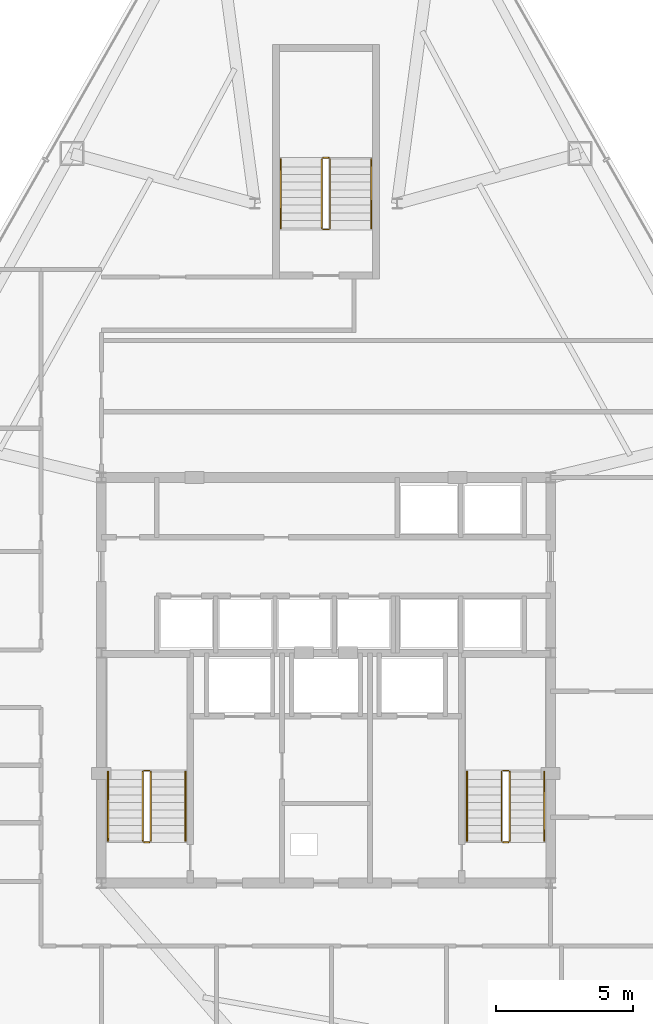
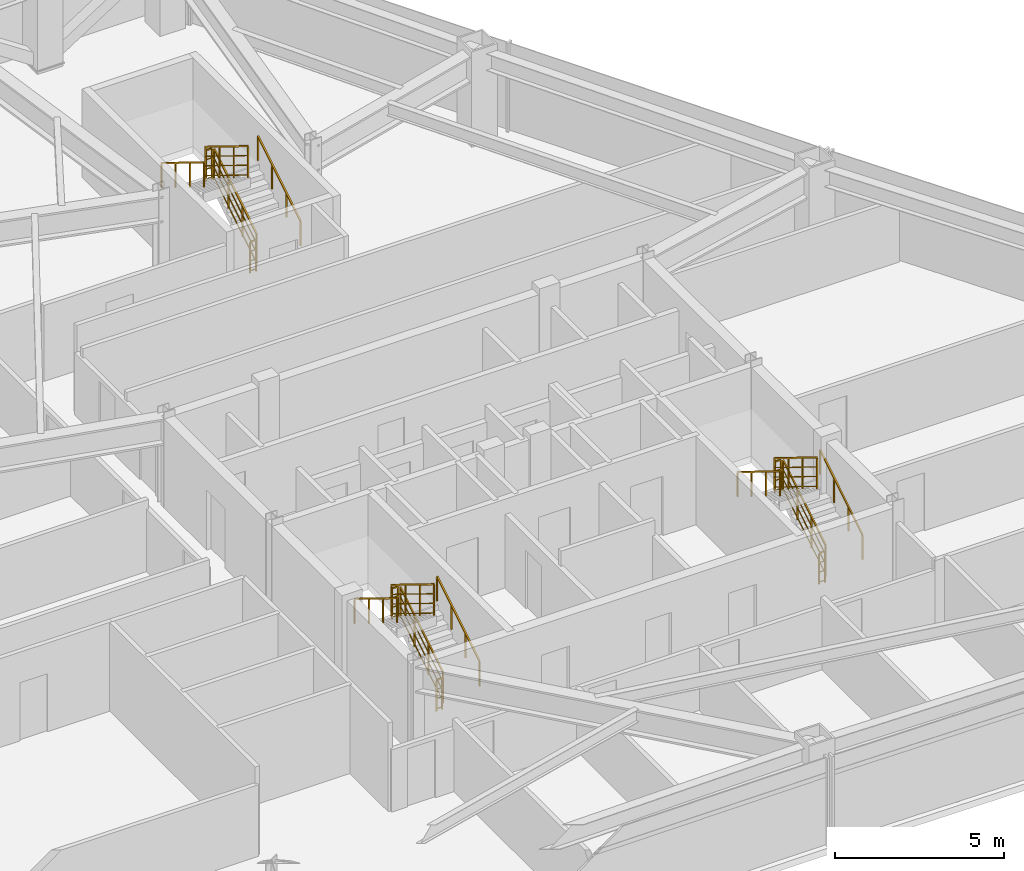
# One storey, part 12 of 12: 18 railings.
"""IFC4 building model written with IfcOpenShell, lengths in metres."""

import ifcopenshell
import ifcopenshell.guid

model = None  # the IFC model being written
_history = None  # IfcOwnerHistory: only IFC2X3 demands one
_inside = {}  # id of a spatial element -> (the spatial element, [elements in it])
_under = {}  # id of a project, library or spatial element -> (it, [spatial elements below it])
_declared = {}  # id of a project -> (the project, [libraries it declares])
_typed = {}  # id of a type object -> (the type object, [elements of that type])
_made_of = {}  # id of a material, layer set ... -> (it, [elements and type objects made of it])


def new_model(schema):
    """Start an empty IFC model of exactly this schema.

    Asked for "IFC4X3", IfcOpenShell would pick the latest addendum, in which some entities
    have other attributes; the version numbers below select the first issue.
    IFC2X3 requires an IfcOwnerHistory on every rooted entity: one is made here for all.
    """
    global model, _history
    if schema == "IFC4X3":
        model = ifcopenshell.file(schema_version=(4, 3, 0, 0))
    else:
        model = ifcopenshell.file(schema=schema)
    _inside.clear()
    _under.clear()
    _declared.clear()
    _typed.clear()
    _made_of.clear()
    _history = None
    if model.schema == "IFC2X3":
        org = make("IfcOrganization", Name="unknown")
        user = make(
            "IfcPersonAndOrganization",
            ThePerson=make("IfcPerson", FamilyName="unknown"),
            TheOrganization=org,
        )
        app = make(
            "IfcApplication",
            ApplicationDeveloper=org,
            Version="unknown",
            ApplicationFullName="unknown",
            ApplicationIdentifier="unknown",
        )
        _history = make(
            "IfcOwnerHistory",
            OwningUser=user,
            OwningApplication=app,
            ChangeAction="ADDED",
            CreationDate=0,
        )
    return model


def make(cls, **values):
    """One entity of the class cls with the attributes given. An attribute that is None is left unset."""
    return model.create_entity(
        cls, **{name: value for name, value in values.items() if value is not None}
    )


def rooted(cls, **values):
    """An entity with a GlobalId (a new one), such as an element, a storey or a relation."""
    return make(cls, GlobalId=ifcopenshell.guid.new(), OwnerHistory=_history, **values)


def si_unit(unit_type, name, prefix=None):
    """IfcSIUnit, for example si_unit("LENGTHUNIT", "METRE", prefix="MILLI")."""
    return make("IfcSIUnit", UnitType=unit_type, Prefix=prefix, Name=name)


def assignment(units):
    """IfcUnitAssignment: the units of a project."""
    return None if units is None else make("IfcUnitAssignment", Units=units)


def point(xyz):
    """IfcCartesianPoint."""
    return None if xyz is None else make("IfcCartesianPoint", Coordinates=xyz)


def direction(xyz):
    """IfcDirection."""
    return None if xyz is None else make("IfcDirection", DirectionRatios=xyz)


def frame(location, z_axis=None, x_axis=None):
    """IfcAxis2Placement3D, a coordinate frame: its origin and axes. An axis left out is left unset."""
    return make(
        "IfcAxis2Placement3D",
        Location=point(location),
        Axis=direction(z_axis),
        RefDirection=direction(x_axis),
    )


def frame_2d(location, x_axis=None):
    """IfcAxis2Placement2D, a coordinate frame in the plane: its origin and x axis."""
    return make(
        "IfcAxis2Placement2D", Location=point(location), RefDirection=direction(x_axis)
    )


def origin():
    """The frame at (0, 0, 0) with its axes left unset."""
    return frame((0.0, 0.0, 0.0))


def origin_2d():
    """The frame at (0, 0) in the plane with its x axis left unset."""
    return frame_2d((0.0, 0.0))


def place(relative_to, where):
    """IfcLocalPlacement: puts the frame where relative to a parent placement (None: the world)."""
    return make(
        "IfcLocalPlacement", PlacementRelTo=relative_to, RelativePlacement=where
    )


def context(
    kind, dimensions, precision=None, world=None, true_north=None, identifier=None
):
    """IfcGeometricRepresentationContext, for example the 3D "Model" context."""
    return make(
        "IfcGeometricRepresentationContext",
        ContextIdentifier=identifier,
        ContextType=kind,
        CoordinateSpaceDimension=dimensions,
        Precision=precision,
        WorldCoordinateSystem=world,
        TrueNorth=true_north,
    )


def subcontext(parent, identifier, kind, view, scale=None):
    """IfcGeometricRepresentationSubContext, for example "Body" below "Model"."""
    return make(
        "IfcGeometricRepresentationSubContext",
        ContextIdentifier=identifier,
        ContextType=kind,
        ParentContext=parent,
        TargetScale=scale,
        TargetView=view,
    )


def project(units=None, contexts=None):
    """IfcProject with its units and contexts."""
    return rooted(
        "IfcProject",
        Name="project",
        RepresentationContexts=contexts,
        UnitsInContext=assignment(units),
    )


def spatial(cls, under=None, at=None, **own):
    """A site, building, storey or space (cls), placed at a placement, below another one or the project."""
    s = rooted(cls, ObjectPlacement=at, **own)
    if under is not None:
        _under.setdefault(under.id(), (under, []))[1].append(s)
    return s


def profile(cls, at=None, kind="AREA", **sizes):
    """A parametric profile (cls). Its sizes go by their IFC names, for example OverallWidth=200.0."""
    return make(cls, ProfileType=kind, Position=at, **sizes)


def rectangle(**sizes):
    """IfcRectangleProfileDef."""
    return profile("IfcRectangleProfileDef", **sizes)


def extrude(swept, where, along, depth):
    """IfcExtrudedAreaSolid: the profile swept, set in the frame where, extruded along a direction by depth."""
    return make(
        "IfcExtrudedAreaSolid",
        SweptArea=swept,
        Position=where,
        ExtrudedDirection=direction(along),
        Depth=depth,
    )


def shape(context_of_items, identifier, shape_type, items):
    """IfcShapeRepresentation: the items that make up one representation, for example the "Body"."""
    return make(
        "IfcShapeRepresentation",
        ContextOfItems=context_of_items,
        RepresentationIdentifier=identifier,
        RepresentationType=shape_type,
        Items=items,
    )


def material(Name=None, Category=None):
    """IfcMaterial."""
    return make("IfcMaterial", Name=Name, Category=Category)


def made_of(thing, what):
    """Note that an element or type object is made of a material, layer set ...; save() writes the relation."""
    if what is not None:
        _made_of.setdefault(what.id(), (what, []))[1].append(thing)
    return thing


def type_object(cls, material=None, **own):
    """A type object (cls), such as IfcWallType, which elements share."""
    return made_of(rooted(cls, **own), material)


def element(
    cls,
    number,
    at=None,
    inside=None,
    cuts=None,
    type_object=None,
    material=None,
    context=None,
    identifier="Body",
    shape_type=None,
    held_by="IfcProductDefinitionShape",
    body=None,
    shapes=None,
    **own,
):
    """One element of the class cls, such as IfcWall. Its Tag is "e" and its number.

    at: its placement. inside: the storey or other place that contains it. cuts: it is an
    opening in that element (IfcRelVoidsElement). A single representation is given by context,
    identifier, shape_type and body (its items); several are given by shapes. held_by: the class
    of the entity that holds the representations. save() writes the other relations.
    """
    e = rooted(cls, Tag="e%d" % number, ObjectPlacement=at, **own)
    if body is not None:
        shapes = [shape(context, identifier, shape_type, body)]
    if shapes is not None:
        e.Representation = make(held_by, Representations=shapes)
    if inside is not None:
        _inside.setdefault(inside.id(), (inside, []))[1].append(e)
    if cuts is not None:
        rooted(
            "IfcRelVoidsElement", RelatingBuildingElement=cuts, RelatedOpeningElement=e
        )
    if type_object is not None:
        _typed.setdefault(type_object.id(), (type_object, []))[1].append(e)
    return made_of(e, material)


def aggregate(whole, parts):
    """IfcRelAggregates: a whole, such as a stair, and the parts it consists of."""
    return rooted("IfcRelAggregates", RelatingObject=whole, RelatedObjects=parts)


def save(model, path):
    """Write the relations noted so far, then the file.

    IfcRelAggregates (storeys below a building ...), IfcRelContainedInSpatialStructure (elements
    in a storey), IfcRelDefinesByType, IfcRelAssociatesMaterial and IfcRelDeclares: one each for
    every whole, place, type object, material and project.
    """
    for whole, parts in _under.values():
        aggregate(whole, parts)
    for where, things in _inside.values():
        rooted(
            "IfcRelContainedInSpatialStructure",
            RelatedElements=things,
            RelatingStructure=where,
        )
    for kind, things in _typed.values():
        rooted("IfcRelDefinesByType", RelatedObjects=things, RelatingType=kind)
    for what, things in _made_of.values():
        rooted("IfcRelAssociatesMaterial", RelatedObjects=things, RelatingMaterial=what)
    for by, libraries in _declared.values():
        rooted("IfcRelDeclares", RelatingContext=by, RelatedDefinitions=libraries)
    model.write(path)


model = new_model("IFC4")

# Units and contexts
model_context = context("Model", 3, precision=1e-05, world=origin(), true_north=direction((0.0, 1.0)))
body_context = subcontext(model_context, "Body", "Model", "MODEL_VIEW")
ifc_project = project(units=[si_unit("LENGTHUNIT", "METRE"), si_unit("AREAUNIT", "SQUARE_METRE"), si_unit("VOLUMEUNIT", "CUBIC_METRE"), si_unit("PLANEANGLEUNIT", "RADIAN"), si_unit("MASSUNIT", "GRAM", prefix="KILO")], contexts=[model_context])

# Site, building, storey
site_placement = place(None, origin())
site = spatial("IfcSite", under=ifc_project, at=site_placement, CompositionType="ELEMENT")
building_placement = place(site_placement, origin())
building = spatial("IfcBuilding", under=site, at=building_placement, Name="Varakhsha Concourse Tower", CompositionType="ELEMENT")
storey_placement = place(building_placement, frame((0.0, 0.0, 129.800048828125)))
storey = spatial("IfcBuildingStorey", under=building, at=storey_placement, Name="L37", CompositionType="ELEMENT", Elevation=129.800048828125)

# Railings
ifc_material = material(Name="Brushed Austenitic Stainless Steel AISI 316", Category="steel")
railing_type_1 = type_object("IfcRailingType", Name="RL-STAIR-GUARD-1100", PredefinedType="GUARDRAIL", material=ifc_material)
railing_1_placement = place(storey_placement, frame((33.610107421875, 17.93994140625, 0.17236328125)))
element("IfcRailing", 1, at=railing_1_placement, inside=storey, type_object=railing_type_1, Name="L37 ST1 stair guard 1", PredefinedType="GUARDRAIL", context=body_context, shape_type="SweptSolid", body=[
    extrude(rectangle(XDim=0.048095703125, YDim=0.048095703125, at=origin_2d()), frame((0.0, 0.0, 1.1259765625), z_axis=(0.0, 0.851400495292, 0.524516154772), x_axis=(-1.0, 0.0, 0.0)), (0.0, 0.0, 1.0), 2.9599609375),
    extrude(rectangle(XDim=0.028076171875, YDim=0.028076171875, at=origin_2d()), frame((0.0, 0.0, 0.080078125), z_axis=(0.0, 0.851400495292, 0.524516154772), x_axis=(-1.0, 0.0, 0.0)), (0.0, 0.0, 1.0), 2.9599609375),
    extrude(rectangle(XDim=0.028076171875, YDim=0.028076171875, at=origin_2d()), frame((0.0, 0.0, 0.43701171875), z_axis=(0.0, 0.851400495292, 0.524516154772), x_axis=(-1.0, 0.0, 0.0)), (0.0, 0.0, 1.0), 2.9599609375),
    extrude(rectangle(XDim=0.028076171875, YDim=0.028076171875, at=origin_2d()), frame((0.0, 0.0, 0.781982421875), z_axis=(0.0, 0.851400495292, 0.524516154772), x_axis=(-1.0, 0.0, 0.0)), (0.0, 0.0, 1.0), 2.9599609375),
    extrude(rectangle(XDim=0.0419921875, YDim=0.0419921875, at=origin_2d()), origin(), (0.0, 0.0, 1.0), 1.101806640625),
    extrude(rectangle(XDim=0.0419921875, YDim=0.0419921875, at=origin_2d()), frame((0.0, 0.840087890625, 0.517578125)), (0.0, 0.0, 1.0), 1.101806640625),
    extrude(rectangle(XDim=0.0419921875, YDim=0.0419921875, at=origin_2d()), frame((0.0, 1.679931640625, 1.034912109375)), (0.0, 0.0, 1.0), 1.101806640625),
    extrude(rectangle(XDim=0.0419921875, YDim=0.0419921875, at=origin_2d()), frame((0.0, 2.52001953125, 1.552490234375)), (0.0, 0.0, 1.0), 1.101806640625),
])
railing_2_placement = place(storey_placement, frame((33.56005859375, 20.510009765625, 1.724853515625)))
element("IfcRailing", 2, at=railing_2_placement, inside=storey, type_object=railing_type_1, Name="L37 ST1 stair guard 2", PredefinedType="GUARDRAIL", context=body_context, shape_type="SweptSolid", body=[
    extrude(rectangle(XDim=0.048095703125, YDim=0.048095703125, at=origin_2d()), frame((0.0, 0.0, 1.1259765625), z_axis=(-1.0, 0.0, 0.0), x_axis=(0.0, -1.0, 0.0)), (0.0, 0.0, 1.0), 0.199951171875),
    extrude(rectangle(XDim=0.028076171875, YDim=0.028076171875, at=origin_2d()), frame((0.0, 0.0, 0.080078125), z_axis=(-1.0, 0.0, 0.0), x_axis=(0.0, -1.0, 0.0)), (0.0, 0.0, 1.0), 0.199951171875),
    extrude(rectangle(XDim=0.028076171875, YDim=0.028076171875, at=origin_2d()), frame((0.0, 0.0, 0.43701171875), z_axis=(-1.0, 0.0, 0.0), x_axis=(0.0, -1.0, 0.0)), (0.0, 0.0, 1.0), 0.199951171875),
    extrude(rectangle(XDim=0.028076171875, YDim=0.028076171875, at=origin_2d()), frame((0.0, 0.0, 0.781982421875), z_axis=(-1.0, 0.0, 0.0), x_axis=(0.0, -1.0, 0.0)), (0.0, 0.0, 1.0), 0.199951171875),
    extrude(rectangle(XDim=0.0419921875, YDim=0.0419921875, at=origin_2d()), origin(), (0.0, 0.0, 1.0), 1.101806640625),
    extrude(rectangle(XDim=0.0419921875, YDim=0.0419921875, at=origin_2d()), frame((-0.199951171875, 0.0, 0.0)), (0.0, 0.0, 1.0), 1.101806640625),
])
railing_3_placement = place(storey_placement, frame((33.31005859375, 20.4599609375, 1.8974609375)))
element("IfcRailing", 3, at=railing_3_placement, inside=storey, type_object=railing_type_1, Name="L37 ST1 stair guard 3", PredefinedType="GUARDRAIL", context=body_context, shape_type="SweptSolid", body=[
    extrude(rectangle(XDim=0.048095703125, YDim=0.048095703125, at=origin_2d()), frame((0.0, 0.0, 1.1259765625), z_axis=(0.0, -0.851400495292, 0.524516154772), x_axis=(1.0, 0.0, 0.0)), (0.0, 0.0, 1.0), 2.9599609375),
    extrude(rectangle(XDim=0.028076171875, YDim=0.028076171875, at=origin_2d()), frame((0.0, 0.0, 0.080078125), z_axis=(0.0, -0.851400495292, 0.524516154772), x_axis=(1.0, 0.0, 0.0)), (0.0, 0.0, 1.0), 2.9599609375),
    extrude(rectangle(XDim=0.028076171875, YDim=0.028076171875, at=origin_2d()), frame((0.0, 0.0, 0.43701171875), z_axis=(0.0, -0.851400495292, 0.524516154772), x_axis=(1.0, 0.0, 0.0)), (0.0, 0.0, 1.0), 2.9599609375),
    extrude(rectangle(XDim=0.028076171875, YDim=0.028076171875, at=origin_2d()), frame((0.0, 0.0, 0.781982421875), z_axis=(0.0, -0.851400495292, 0.524516154772), x_axis=(1.0, 0.0, 0.0)), (0.0, 0.0, 1.0), 2.9599609375),
    extrude(rectangle(XDim=0.0419921875, YDim=0.0419921875, at=origin_2d()), origin(), (0.0, 0.0, 1.0), 1.101806640625),
    extrude(rectangle(XDim=0.0419921875, YDim=0.0419921875, at=origin_2d()), frame((0.0, -0.840087890625, 0.517578125)), (0.0, 0.0, 1.0), 1.101806640625),
    extrude(rectangle(XDim=0.0419921875, YDim=0.0419921875, at=origin_2d()), frame((0.0, -1.679931640625, 1.034912109375)), (0.0, 0.0, 1.0), 1.101806640625),
    extrude(rectangle(XDim=0.0419921875, YDim=0.0419921875, at=origin_2d()), frame((0.0, -2.52001953125, 1.552490234375)), (0.0, 0.0, 1.0), 1.101806640625),
])
railing_4_placement = place(storey_placement, frame((33.56005859375, 17.889892578125, 0.0)))
element("IfcRailing", 4, at=railing_4_placement, inside=storey, type_object=railing_type_1, Name="L37 ST1 stair guard 4", PredefinedType="GUARDRAIL", context=body_context, shape_type="SweptSolid", body=[
    extrude(rectangle(XDim=0.048095703125, YDim=0.048095703125, at=origin_2d()), frame((0.0, 0.0, 1.1259765625), z_axis=(-1.0, 0.0, 0.0), x_axis=(0.0, -1.0, 0.0)), (0.0, 0.0, 1.0), 0.199951171875),
    extrude(rectangle(XDim=0.028076171875, YDim=0.028076171875, at=origin_2d()), frame((0.0, 0.0, 0.080078125), z_axis=(-1.0, 0.0, 0.0), x_axis=(0.0, -1.0, 0.0)), (0.0, 0.0, 1.0), 0.199951171875),
    extrude(rectangle(XDim=0.028076171875, YDim=0.028076171875, at=origin_2d()), frame((0.0, 0.0, 0.43701171875), z_axis=(-1.0, 0.0, 0.0), x_axis=(0.0, -1.0, 0.0)), (0.0, 0.0, 1.0), 0.199951171875),
    extrude(rectangle(XDim=0.028076171875, YDim=0.028076171875, at=origin_2d()), frame((0.0, 0.0, 0.781982421875), z_axis=(-1.0, 0.0, 0.0), x_axis=(0.0, -1.0, 0.0)), (0.0, 0.0, 1.0), 0.199951171875),
    extrude(rectangle(XDim=0.0419921875, YDim=0.0419921875, at=origin_2d()), origin(), (0.0, 0.0, 1.0), 1.101806640625),
    extrude(rectangle(XDim=0.0419921875, YDim=0.0419921875, at=origin_2d()), frame((-0.199951171875, 0.0, 0.0)), (0.0, 0.0, 1.0), 1.101806640625),
])
railing_5_placement = place(storey_placement, frame((46.7099609375, 17.93994140625, 0.17236328125)))
element("IfcRailing", 5, at=railing_5_placement, inside=storey, type_object=railing_type_1, Name="L37 ST2 stair guard 1", PredefinedType="GUARDRAIL", context=body_context, shape_type="SweptSolid", body=[
    extrude(rectangle(XDim=0.048095703125, YDim=0.048095703125, at=origin_2d()), frame((0.0, 0.0, 1.1259765625), z_axis=(0.0, 0.851400495292, 0.524516154772), x_axis=(-1.0, 0.0, 0.0)), (0.0, 0.0, 1.0), 2.9599609375),
    extrude(rectangle(XDim=0.028076171875, YDim=0.028076171875, at=origin_2d()), frame((0.0, 0.0, 0.080078125), z_axis=(0.0, 0.851400495292, 0.524516154772), x_axis=(-1.0, 0.0, 0.0)), (0.0, 0.0, 1.0), 2.9599609375),
    extrude(rectangle(XDim=0.028076171875, YDim=0.028076171875, at=origin_2d()), frame((0.0, 0.0, 0.43701171875), z_axis=(0.0, 0.851400495292, 0.524516154772), x_axis=(-1.0, 0.0, 0.0)), (0.0, 0.0, 1.0), 2.9599609375),
    extrude(rectangle(XDim=0.028076171875, YDim=0.028076171875, at=origin_2d()), frame((0.0, 0.0, 0.781982421875), z_axis=(0.0, 0.851400495292, 0.524516154772), x_axis=(-1.0, 0.0, 0.0)), (0.0, 0.0, 1.0), 2.9599609375),
    extrude(rectangle(XDim=0.0419921875, YDim=0.0419921875, at=origin_2d()), origin(), (0.0, 0.0, 1.0), 1.101806640625),
    extrude(rectangle(XDim=0.0419921875, YDim=0.0419921875, at=origin_2d()), frame((0.0, 0.840087890625, 0.517578125)), (0.0, 0.0, 1.0), 1.101806640625),
    extrude(rectangle(XDim=0.0419921875, YDim=0.0419921875, at=origin_2d()), frame((0.0, 1.679931640625, 1.034912109375)), (0.0, 0.0, 1.0), 1.101806640625),
    extrude(rectangle(XDim=0.0419921875, YDim=0.0419921875, at=origin_2d()), frame((0.0, 2.52001953125, 1.552490234375)), (0.0, 0.0, 1.0), 1.101806640625),
])
railing_6_placement = place(storey_placement, frame((46.659912109375, 20.510009765625, 1.724853515625)))
element("IfcRailing", 6, at=railing_6_placement, inside=storey, type_object=railing_type_1, Name="L37 ST2 stair guard 2", PredefinedType="GUARDRAIL", context=body_context, shape_type="SweptSolid", body=[
    extrude(rectangle(XDim=0.048095703125, YDim=0.048095703125, at=origin_2d()), frame((0.0, 0.0, 1.1259765625), z_axis=(-1.0, 0.0, 0.0), x_axis=(0.0, -1.0, 0.0)), (0.0, 0.0, 1.0), 0.199951171875),
    extrude(rectangle(XDim=0.028076171875, YDim=0.028076171875, at=origin_2d()), frame((0.0, 0.0, 0.080078125), z_axis=(-1.0, 0.0, 0.0), x_axis=(0.0, -1.0, 0.0)), (0.0, 0.0, 1.0), 0.199951171875),
    extrude(rectangle(XDim=0.028076171875, YDim=0.028076171875, at=origin_2d()), frame((0.0, 0.0, 0.43701171875), z_axis=(-1.0, 0.0, 0.0), x_axis=(0.0, -1.0, 0.0)), (0.0, 0.0, 1.0), 0.199951171875),
    extrude(rectangle(XDim=0.028076171875, YDim=0.028076171875, at=origin_2d()), frame((0.0, 0.0, 0.781982421875), z_axis=(-1.0, 0.0, 0.0), x_axis=(0.0, -1.0, 0.0)), (0.0, 0.0, 1.0), 0.199951171875),
    extrude(rectangle(XDim=0.0419921875, YDim=0.0419921875, at=origin_2d()), origin(), (0.0, 0.0, 1.0), 1.101806640625),
    extrude(rectangle(XDim=0.0419921875, YDim=0.0419921875, at=origin_2d()), frame((-0.199951171875, 0.0, 0.0)), (0.0, 0.0, 1.0), 1.101806640625),
])
railing_7_placement = place(storey_placement, frame((46.409912109375, 20.4599609375, 1.8974609375)))
element("IfcRailing", 7, at=railing_7_placement, inside=storey, type_object=railing_type_1, Name="L37 ST2 stair guard 3", PredefinedType="GUARDRAIL", context=body_context, shape_type="SweptSolid", body=[
    extrude(rectangle(XDim=0.048095703125, YDim=0.048095703125, at=origin_2d()), frame((0.0, 0.0, 1.1259765625), z_axis=(0.0, -0.851400495292, 0.524516154772), x_axis=(1.0, 0.0, 0.0)), (0.0, 0.0, 1.0), 2.9599609375),
    extrude(rectangle(XDim=0.028076171875, YDim=0.028076171875, at=origin_2d()), frame((0.0, 0.0, 0.080078125), z_axis=(0.0, -0.851400495292, 0.524516154772), x_axis=(1.0, 0.0, 0.0)), (0.0, 0.0, 1.0), 2.9599609375),
    extrude(rectangle(XDim=0.028076171875, YDim=0.028076171875, at=origin_2d()), frame((0.0, 0.0, 0.43701171875), z_axis=(0.0, -0.851400495292, 0.524516154772), x_axis=(1.0, 0.0, 0.0)), (0.0, 0.0, 1.0), 2.9599609375),
    extrude(rectangle(XDim=0.028076171875, YDim=0.028076171875, at=origin_2d()), frame((0.0, 0.0, 0.781982421875), z_axis=(0.0, -0.851400495292, 0.524516154772), x_axis=(1.0, 0.0, 0.0)), (0.0, 0.0, 1.0), 2.9599609375),
    extrude(rectangle(XDim=0.0419921875, YDim=0.0419921875, at=origin_2d()), origin(), (0.0, 0.0, 1.0), 1.101806640625),
    extrude(rectangle(XDim=0.0419921875, YDim=0.0419921875, at=origin_2d()), frame((0.0, -0.840087890625, 0.517578125)), (0.0, 0.0, 1.0), 1.101806640625),
    extrude(rectangle(XDim=0.0419921875, YDim=0.0419921875, at=origin_2d()), frame((0.0, -1.679931640625, 1.034912109375)), (0.0, 0.0, 1.0), 1.101806640625),
    extrude(rectangle(XDim=0.0419921875, YDim=0.0419921875, at=origin_2d()), frame((0.0, -2.52001953125, 1.552490234375)), (0.0, 0.0, 1.0), 1.101806640625),
])
railing_8_placement = place(storey_placement, frame((46.659912109375, 17.889892578125, 0.0)))
element("IfcRailing", 8, at=railing_8_placement, inside=storey, type_object=railing_type_1, Name="L37 ST2 stair guard 4", PredefinedType="GUARDRAIL", context=body_context, shape_type="SweptSolid", body=[
    extrude(rectangle(XDim=0.048095703125, YDim=0.048095703125, at=origin_2d()), frame((0.0, 0.0, 1.1259765625), z_axis=(-1.0, 0.0, 0.0), x_axis=(0.0, -1.0, 0.0)), (0.0, 0.0, 1.0), 0.199951171875),
    extrude(rectangle(XDim=0.028076171875, YDim=0.028076171875, at=origin_2d()), frame((0.0, 0.0, 0.080078125), z_axis=(-1.0, 0.0, 0.0), x_axis=(0.0, -1.0, 0.0)), (0.0, 0.0, 1.0), 0.199951171875),
    extrude(rectangle(XDim=0.028076171875, YDim=0.028076171875, at=origin_2d()), frame((0.0, 0.0, 0.43701171875), z_axis=(-1.0, 0.0, 0.0), x_axis=(0.0, -1.0, 0.0)), (0.0, 0.0, 1.0), 0.199951171875),
    extrude(rectangle(XDim=0.028076171875, YDim=0.028076171875, at=origin_2d()), frame((0.0, 0.0, 0.781982421875), z_axis=(-1.0, 0.0, 0.0), x_axis=(0.0, -1.0, 0.0)), (0.0, 0.0, 1.0), 0.199951171875),
    extrude(rectangle(XDim=0.0419921875, YDim=0.0419921875, at=origin_2d()), origin(), (0.0, 0.0, 1.0), 1.101806640625),
    extrude(rectangle(XDim=0.0419921875, YDim=0.0419921875, at=origin_2d()), frame((-0.199951171875, 0.0, 0.0)), (0.0, 0.0, 1.0), 1.101806640625),
])
railing_9_placement = place(storey_placement, frame((40.14990234375, 40.300048828125, 0.17236328125)))
element("IfcRailing", 9, at=railing_9_placement, inside=storey, type_object=railing_type_1, Name="L37 ST5 stair guard 1", PredefinedType="GUARDRAIL", context=body_context, shape_type="SweptSolid", body=[
    extrude(rectangle(XDim=0.048095703125, YDim=0.048095703125, at=origin_2d()), frame((0.0, 0.0, 1.1259765625), z_axis=(0.0, 0.851400495292, 0.524516154772), x_axis=(-1.0, 0.0, 0.0)), (0.0, 0.0, 1.0), 2.9599609375),
    extrude(rectangle(XDim=0.028076171875, YDim=0.028076171875, at=origin_2d()), frame((0.0, 0.0, 0.080078125), z_axis=(0.0, 0.851400495292, 0.524516154772), x_axis=(-1.0, 0.0, 0.0)), (0.0, 0.0, 1.0), 2.9599609375),
    extrude(rectangle(XDim=0.028076171875, YDim=0.028076171875, at=origin_2d()), frame((0.0, 0.0, 0.43701171875), z_axis=(0.0, 0.851400495292, 0.524516154772), x_axis=(-1.0, 0.0, 0.0)), (0.0, 0.0, 1.0), 2.9599609375),
    extrude(rectangle(XDim=0.028076171875, YDim=0.028076171875, at=origin_2d()), frame((0.0, 0.0, 0.781982421875), z_axis=(0.0, 0.851400495292, 0.524516154772), x_axis=(-1.0, 0.0, 0.0)), (0.0, 0.0, 1.0), 2.9599609375),
    extrude(rectangle(XDim=0.0419921875, YDim=0.0419921875, at=origin_2d()), origin(), (0.0, 0.0, 1.0), 1.101806640625),
    extrude(rectangle(XDim=0.0419921875, YDim=0.0419921875, at=origin_2d()), frame((0.0, 0.840087890625, 0.517578125)), (0.0, 0.0, 1.0), 1.101806640625),
    extrude(rectangle(XDim=0.0419921875, YDim=0.0419921875, at=origin_2d()), frame((0.0, 1.679931640625, 1.034912109375)), (0.0, 0.0, 1.0), 1.101806640625),
    extrude(rectangle(XDim=0.0419921875, YDim=0.0419921875, at=origin_2d()), frame((0.0, 2.52001953125, 1.552490234375)), (0.0, 0.0, 1.0), 1.101806640625),
])
railing_10_placement = place(storey_placement, frame((40.10009765625, 42.8701171875, 1.724853515625)))
element("IfcRailing", 10, at=railing_10_placement, inside=storey, type_object=railing_type_1, Name="L37 ST5 stair guard 2", PredefinedType="GUARDRAIL", context=body_context, shape_type="SweptSolid", body=[
    extrude(rectangle(XDim=0.048095703125, YDim=0.048095703125, at=origin_2d()), frame((0.0, 0.0, 1.1259765625), z_axis=(-1.0, 0.0, 0.0), x_axis=(0.0, -1.0, 0.0)), (0.0, 0.0, 1.0), 0.2001953125),
    extrude(rectangle(XDim=0.028076171875, YDim=0.028076171875, at=origin_2d()), frame((0.0, 0.0, 0.080078125), z_axis=(-1.0, 0.0, 0.0), x_axis=(0.0, -1.0, 0.0)), (0.0, 0.0, 1.0), 0.2001953125),
    extrude(rectangle(XDim=0.028076171875, YDim=0.028076171875, at=origin_2d()), frame((0.0, 0.0, 0.43701171875), z_axis=(-1.0, 0.0, 0.0), x_axis=(0.0, -1.0, 0.0)), (0.0, 0.0, 1.0), 0.2001953125),
    extrude(rectangle(XDim=0.028076171875, YDim=0.028076171875, at=origin_2d()), frame((0.0, 0.0, 0.781982421875), z_axis=(-1.0, 0.0, 0.0), x_axis=(0.0, -1.0, 0.0)), (0.0, 0.0, 1.0), 0.2001953125),
    extrude(rectangle(XDim=0.0419921875, YDim=0.0419921875, at=origin_2d()), origin(), (0.0, 0.0, 1.0), 1.101806640625),
    extrude(rectangle(XDim=0.0419921875, YDim=0.0419921875, at=origin_2d()), frame((-0.2001953125, 0.0, 0.0)), (0.0, 0.0, 1.0), 1.101806640625),
])
railing_11_placement = place(storey_placement, frame((39.85009765625, 42.820068359375, 1.8974609375)))
element("IfcRailing", 11, at=railing_11_placement, inside=storey, type_object=railing_type_1, Name="L37 ST5 stair guard 3", PredefinedType="GUARDRAIL", context=body_context, shape_type="SweptSolid", body=[
    extrude(rectangle(XDim=0.048095703125, YDim=0.048095703125, at=origin_2d()), frame((0.0, 0.0, 1.1259765625), z_axis=(0.0, -0.851400495292, 0.524516154772), x_axis=(1.0, 0.0, 0.0)), (0.0, 0.0, 1.0), 2.9599609375),
    extrude(rectangle(XDim=0.028076171875, YDim=0.028076171875, at=origin_2d()), frame((0.0, 0.0, 0.080078125), z_axis=(0.0, -0.851400495292, 0.524516154772), x_axis=(1.0, 0.0, 0.0)), (0.0, 0.0, 1.0), 2.9599609375),
    extrude(rectangle(XDim=0.028076171875, YDim=0.028076171875, at=origin_2d()), frame((0.0, 0.0, 0.43701171875), z_axis=(0.0, -0.851400495292, 0.524516154772), x_axis=(1.0, 0.0, 0.0)), (0.0, 0.0, 1.0), 2.9599609375),
    extrude(rectangle(XDim=0.028076171875, YDim=0.028076171875, at=origin_2d()), frame((0.0, 0.0, 0.781982421875), z_axis=(0.0, -0.851400495292, 0.524516154772), x_axis=(1.0, 0.0, 0.0)), (0.0, 0.0, 1.0), 2.9599609375),
    extrude(rectangle(XDim=0.0419921875, YDim=0.0419921875, at=origin_2d()), origin(), (0.0, 0.0, 1.0), 1.101806640625),
    extrude(rectangle(XDim=0.0419921875, YDim=0.0419921875, at=origin_2d()), frame((0.0, -0.840087890625, 0.517578125)), (0.0, 0.0, 1.0), 1.101806640625),
    extrude(rectangle(XDim=0.0419921875, YDim=0.0419921875, at=origin_2d()), frame((0.0, -1.679931640625, 1.034912109375)), (0.0, 0.0, 1.0), 1.101806640625),
    extrude(rectangle(XDim=0.0419921875, YDim=0.0419921875, at=origin_2d()), frame((0.0, -2.52001953125, 1.552490234375)), (0.0, 0.0, 1.0), 1.101806640625),
])
railing_12_placement = place(storey_placement, frame((40.10009765625, 40.25, 0.0)))
element("IfcRailing", 12, at=railing_12_placement, inside=storey, type_object=railing_type_1, Name="L37 ST5 stair guard 4", PredefinedType="GUARDRAIL", context=body_context, shape_type="SweptSolid", body=[
    extrude(rectangle(XDim=0.048095703125, YDim=0.048095703125, at=origin_2d()), frame((0.0, 0.0, 1.1259765625), z_axis=(-1.0, 0.0, 0.0), x_axis=(0.0, -1.0, 0.0)), (0.0, 0.0, 1.0), 0.2001953125),
    extrude(rectangle(XDim=0.028076171875, YDim=0.028076171875, at=origin_2d()), frame((0.0, 0.0, 0.080078125), z_axis=(-1.0, 0.0, 0.0), x_axis=(0.0, -1.0, 0.0)), (0.0, 0.0, 1.0), 0.2001953125),
    extrude(rectangle(XDim=0.028076171875, YDim=0.028076171875, at=origin_2d()), frame((0.0, 0.0, 0.43701171875), z_axis=(-1.0, 0.0, 0.0), x_axis=(0.0, -1.0, 0.0)), (0.0, 0.0, 1.0), 0.2001953125),
    extrude(rectangle(XDim=0.028076171875, YDim=0.028076171875, at=origin_2d()), frame((0.0, 0.0, 0.781982421875), z_axis=(-1.0, 0.0, 0.0), x_axis=(0.0, -1.0, 0.0)), (0.0, 0.0, 1.0), 0.2001953125),
    extrude(rectangle(XDim=0.0419921875, YDim=0.0419921875, at=origin_2d()), origin(), (0.0, 0.0, 1.0), 1.101806640625),
    extrude(rectangle(XDim=0.0419921875, YDim=0.0419921875, at=origin_2d()), frame((-0.2001953125, 0.0, 0.0)), (0.0, 0.0, 1.0), 1.101806640625),
])
railing_type_2 = type_object("IfcRailingType", Name="RL-STAIR-RAIL-915", PredefinedType="HANDRAIL", material=ifc_material)
railing_13_placement = place(storey_placement, frame((34.8701171875, 17.93994140625, 0.344970703125)))
element("IfcRailing", 13, at=railing_13_placement, inside=storey, type_object=railing_type_2, Name="L37 ST1 stair handrail 1", PredefinedType="HANDRAIL", context=body_context, shape_type="SweptSolid", body=[
    extrude(rectangle(XDim=0.048095703125, YDim=0.048095703125, at=origin_2d()), frame((0.0, 0.0, 0.89111328125), z_axis=(0.0, 0.851400495292, 0.524516154772), x_axis=(-1.0, 0.0, 0.0)), (0.0, 0.0, 1.0), 2.9599609375),
    extrude(rectangle(XDim=0.0419921875, YDim=0.0419921875, at=origin_2d()), origin(), (0.0, 0.0, 1.0), 0.866943359375),
    extrude(rectangle(XDim=0.0419921875, YDim=0.0419921875, at=origin_2d()), frame((0.0, 0.840087890625, 0.517578125)), (0.0, 0.0, 1.0), 0.866943359375),
    extrude(rectangle(XDim=0.0419921875, YDim=0.0419921875, at=origin_2d()), frame((0.0, 1.679931640625, 1.034912109375)), (0.0, 0.0, 1.0), 0.866943359375),
    extrude(rectangle(XDim=0.0419921875, YDim=0.0419921875, at=origin_2d()), frame((0.0, 2.52001953125, 1.552490234375)), (0.0, 0.0, 1.0), 0.866943359375),
])
railing_14_placement = place(storey_placement, frame((32.050048828125, 20.4599609375, 2.070068359375)))
element("IfcRailing", 14, at=railing_14_placement, inside=storey, type_object=railing_type_2, Name="L37 ST1 stair handrail 2", PredefinedType="HANDRAIL", context=body_context, shape_type="SweptSolid", body=[
    extrude(rectangle(XDim=0.048095703125, YDim=0.048095703125, at=origin_2d()), frame((0.0, 0.0, 0.89111328125), z_axis=(0.0, -0.851400495292, 0.524516154772), x_axis=(1.0, 0.0, 0.0)), (0.0, 0.0, 1.0), 2.9599609375),
    extrude(rectangle(XDim=0.0419921875, YDim=0.0419921875, at=origin_2d()), origin(), (0.0, 0.0, 1.0), 0.866943359375),
    extrude(rectangle(XDim=0.0419921875, YDim=0.0419921875, at=origin_2d()), frame((0.0, -0.840087890625, 0.517578125)), (0.0, 0.0, 1.0), 0.866943359375),
    extrude(rectangle(XDim=0.0419921875, YDim=0.0419921875, at=origin_2d()), frame((0.0, -1.679931640625, 1.034912109375)), (0.0, 0.0, 1.0), 0.866943359375),
    extrude(rectangle(XDim=0.0419921875, YDim=0.0419921875, at=origin_2d()), frame((0.0, -2.52001953125, 1.552490234375)), (0.0, 0.0, 1.0), 0.866943359375),
])
railing_15_placement = place(storey_placement, frame((47.969970703125, 17.93994140625, 0.344970703125)))
element("IfcRailing", 15, at=railing_15_placement, inside=storey, type_object=railing_type_2, Name="L37 ST2 stair handrail 1", PredefinedType="HANDRAIL", context=body_context, shape_type="SweptSolid", body=[
    extrude(rectangle(XDim=0.048095703125, YDim=0.048095703125, at=origin_2d()), frame((0.0, 0.0, 0.89111328125), z_axis=(0.0, 0.851400495292, 0.524516154772), x_axis=(-1.0, 0.0, 0.0)), (0.0, 0.0, 1.0), 2.9599609375),
    extrude(rectangle(XDim=0.0419921875, YDim=0.0419921875, at=origin_2d()), origin(), (0.0, 0.0, 1.0), 0.866943359375),
    extrude(rectangle(XDim=0.0419921875, YDim=0.0419921875, at=origin_2d()), frame((0.0, 0.840087890625, 0.517578125)), (0.0, 0.0, 1.0), 0.866943359375),
    extrude(rectangle(XDim=0.0419921875, YDim=0.0419921875, at=origin_2d()), frame((0.0, 1.679931640625, 1.034912109375)), (0.0, 0.0, 1.0), 0.866943359375),
    extrude(rectangle(XDim=0.0419921875, YDim=0.0419921875, at=origin_2d()), frame((0.0, 2.52001953125, 1.552490234375)), (0.0, 0.0, 1.0), 0.866943359375),
])
railing_16_placement = place(storey_placement, frame((45.14990234375, 20.4599609375, 2.070068359375)))
element("IfcRailing", 16, at=railing_16_placement, inside=storey, type_object=railing_type_2, Name="L37 ST2 stair handrail 2", PredefinedType="HANDRAIL", context=body_context, shape_type="SweptSolid", body=[
    extrude(rectangle(XDim=0.048095703125, YDim=0.048095703125, at=origin_2d()), frame((0.0, 0.0, 0.89111328125), z_axis=(0.0, -0.851400495292, 0.524516154772), x_axis=(1.0, 0.0, 0.0)), (0.0, 0.0, 1.0), 2.9599609375),
    extrude(rectangle(XDim=0.0419921875, YDim=0.0419921875, at=origin_2d()), origin(), (0.0, 0.0, 1.0), 0.866943359375),
    extrude(rectangle(XDim=0.0419921875, YDim=0.0419921875, at=origin_2d()), frame((0.0, -0.840087890625, 0.517578125)), (0.0, 0.0, 1.0), 0.866943359375),
    extrude(rectangle(XDim=0.0419921875, YDim=0.0419921875, at=origin_2d()), frame((0.0, -1.679931640625, 1.034912109375)), (0.0, 0.0, 1.0), 0.866943359375),
    extrude(rectangle(XDim=0.0419921875, YDim=0.0419921875, at=origin_2d()), frame((0.0, -2.52001953125, 1.552490234375)), (0.0, 0.0, 1.0), 0.866943359375),
])
railing_17_placement = place(storey_placement, frame((41.64990234375, 40.300048828125, 0.344970703125)))
element("IfcRailing", 17, at=railing_17_placement, inside=storey, type_object=railing_type_2, Name="L37 ST5 stair handrail 1", PredefinedType="HANDRAIL", context=body_context, shape_type="SweptSolid", body=[
    extrude(rectangle(XDim=0.048095703125, YDim=0.048095703125, at=origin_2d()), frame((0.0, 0.0, 0.89111328125), z_axis=(0.0, 0.851400495292, 0.524516154772), x_axis=(-1.0, 0.0, 0.0)), (0.0, 0.0, 1.0), 2.9599609375),
    extrude(rectangle(XDim=0.0419921875, YDim=0.0419921875, at=origin_2d()), origin(), (0.0, 0.0, 1.0), 0.866943359375),
    extrude(rectangle(XDim=0.0419921875, YDim=0.0419921875, at=origin_2d()), frame((0.0, 0.840087890625, 0.517578125)), (0.0, 0.0, 1.0), 0.866943359375),
    extrude(rectangle(XDim=0.0419921875, YDim=0.0419921875, at=origin_2d()), frame((0.0, 1.679931640625, 1.034912109375)), (0.0, 0.0, 1.0), 0.866943359375),
    extrude(rectangle(XDim=0.0419921875, YDim=0.0419921875, at=origin_2d()), frame((0.0, 2.52001953125, 1.552490234375)), (0.0, 0.0, 1.0), 0.866943359375),
])
railing_18_placement = place(storey_placement, frame((38.35009765625, 42.820068359375, 2.070068359375)))
element("IfcRailing", 18, at=railing_18_placement, inside=storey, type_object=railing_type_2, Name="L37 ST5 stair handrail 2", PredefinedType="HANDRAIL", context=body_context, shape_type="SweptSolid", body=[
    extrude(rectangle(XDim=0.048095703125, YDim=0.048095703125, at=origin_2d()), frame((0.0, 0.0, 0.89111328125), z_axis=(0.0, -0.851400495292, 0.524516154772), x_axis=(1.0, 0.0, 0.0)), (0.0, 0.0, 1.0), 2.9599609375),
    extrude(rectangle(XDim=0.0419921875, YDim=0.0419921875, at=origin_2d()), origin(), (0.0, 0.0, 1.0), 0.866943359375),
    extrude(rectangle(XDim=0.0419921875, YDim=0.0419921875, at=origin_2d()), frame((0.0, -0.840087890625, 0.517578125)), (0.0, 0.0, 1.0), 0.866943359375),
    extrude(rectangle(XDim=0.0419921875, YDim=0.0419921875, at=origin_2d()), frame((0.0, -1.679931640625, 1.034912109375)), (0.0, 0.0, 1.0), 0.866943359375),
    extrude(rectangle(XDim=0.0419921875, YDim=0.0419921875, at=origin_2d()), frame((0.0, -2.52001953125, 1.552490234375)), (0.0, 0.0, 1.0), 0.866943359375),
])

save(model, "model.ifc")
